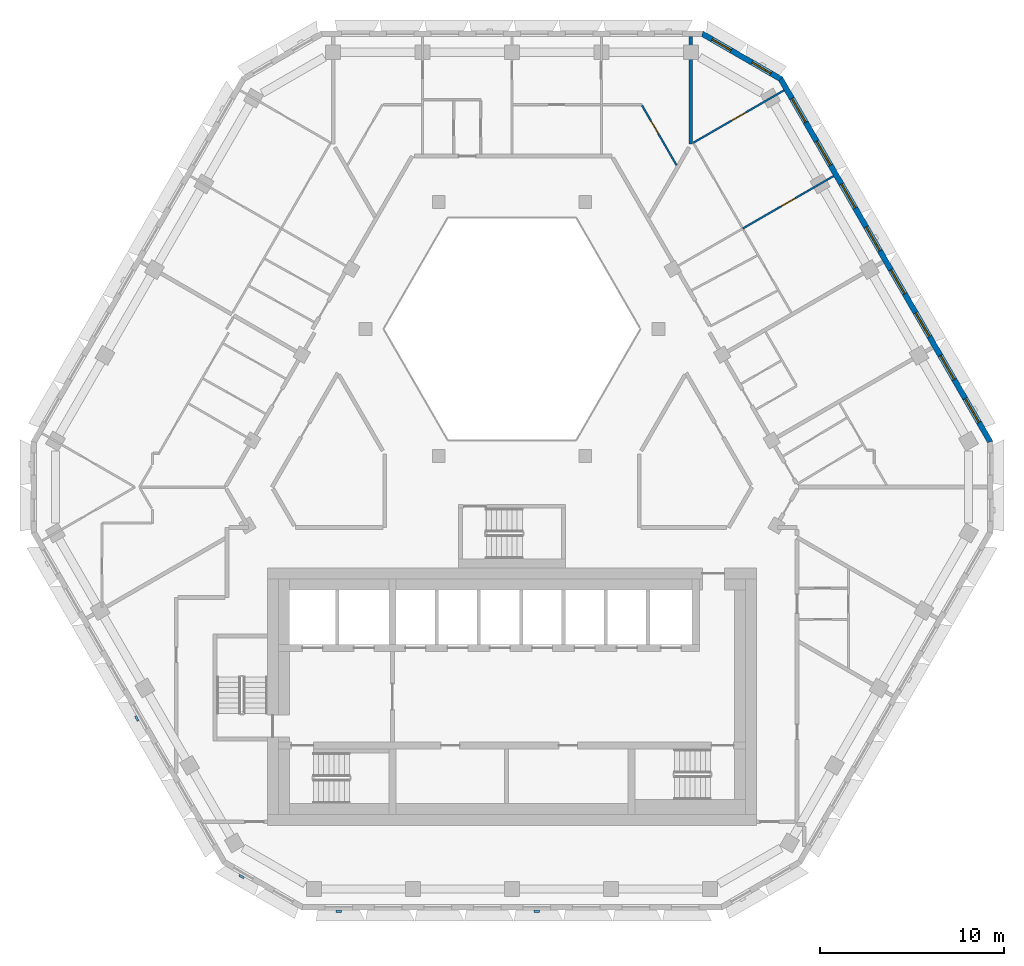
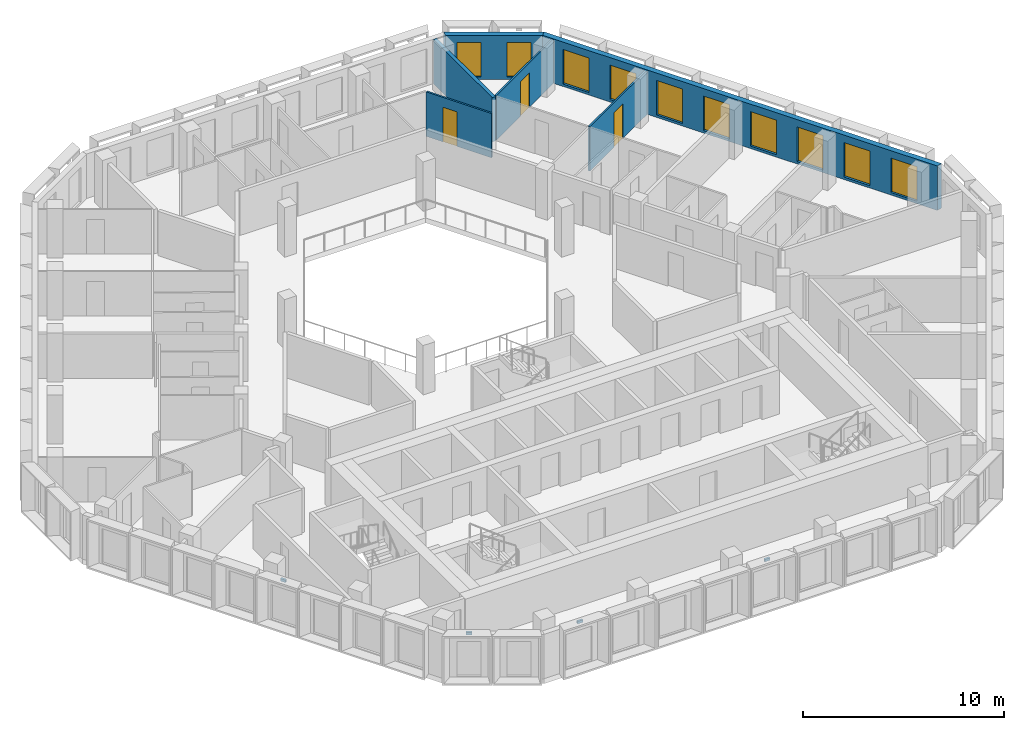
# One storey, part 9 of 18: 10 windows, 6 walls, 4 discrete accessories, 3 doors, 13 openings.
"""IFC4 building model written with IfcOpenShell, lengths in metres."""

import ifcopenshell
import ifcopenshell.guid

model = None  # the IFC model being written
_history = None  # IfcOwnerHistory: only IFC2X3 demands one
_inside = {}  # id of a spatial element -> (the spatial element, [elements in it])
_under = {}  # id of a project, library or spatial element -> (it, [spatial elements below it])
_declared = {}  # id of a project -> (the project, [libraries it declares])
_typed = {}  # id of a type object -> (the type object, [elements of that type])
_made_of = {}  # id of a material, layer set ... -> (it, [elements and type objects made of it])


def new_model(schema):
    """Start an empty IFC model of exactly this schema.

    Asked for "IFC4X3", IfcOpenShell would pick the latest addendum, in which some entities
    have other attributes; the version numbers below select the first issue.
    IFC2X3 requires an IfcOwnerHistory on every rooted entity: one is made here for all.
    """
    global model, _history
    if schema == "IFC4X3":
        model = ifcopenshell.file(schema_version=(4, 3, 0, 0))
    else:
        model = ifcopenshell.file(schema=schema)
    _inside.clear()
    _under.clear()
    _declared.clear()
    _typed.clear()
    _made_of.clear()
    _history = None
    if model.schema == "IFC2X3":
        org = make("IfcOrganization", Name="unknown")
        user = make(
            "IfcPersonAndOrganization",
            ThePerson=make("IfcPerson", FamilyName="unknown"),
            TheOrganization=org,
        )
        app = make(
            "IfcApplication",
            ApplicationDeveloper=org,
            Version="unknown",
            ApplicationFullName="unknown",
            ApplicationIdentifier="unknown",
        )
        _history = make(
            "IfcOwnerHistory",
            OwningUser=user,
            OwningApplication=app,
            ChangeAction="ADDED",
            CreationDate=0,
        )
    return model


def make(cls, **values):
    """One entity of the class cls with the attributes given. An attribute that is None is left unset."""
    return model.create_entity(
        cls, **{name: value for name, value in values.items() if value is not None}
    )


def rooted(cls, **values):
    """An entity with a GlobalId (a new one), such as an element, a storey or a relation."""
    return make(cls, GlobalId=ifcopenshell.guid.new(), OwnerHistory=_history, **values)


def si_unit(unit_type, name, prefix=None):
    """IfcSIUnit, for example si_unit("LENGTHUNIT", "METRE", prefix="MILLI")."""
    return make("IfcSIUnit", UnitType=unit_type, Prefix=prefix, Name=name)


def assignment(units):
    """IfcUnitAssignment: the units of a project."""
    return None if units is None else make("IfcUnitAssignment", Units=units)


def point(xyz):
    """IfcCartesianPoint."""
    return None if xyz is None else make("IfcCartesianPoint", Coordinates=xyz)


def direction(xyz):
    """IfcDirection."""
    return None if xyz is None else make("IfcDirection", DirectionRatios=xyz)


def frame(location, z_axis=None, x_axis=None):
    """IfcAxis2Placement3D, a coordinate frame: its origin and axes. An axis left out is left unset."""
    return make(
        "IfcAxis2Placement3D",
        Location=point(location),
        Axis=direction(z_axis),
        RefDirection=direction(x_axis),
    )


def frame_2d(location, x_axis=None):
    """IfcAxis2Placement2D, a coordinate frame in the plane: its origin and x axis."""
    return make(
        "IfcAxis2Placement2D", Location=point(location), RefDirection=direction(x_axis)
    )


def origin():
    """The frame at (0, 0, 0) with its axes left unset."""
    return frame((0.0, 0.0, 0.0))


def place(relative_to, where):
    """IfcLocalPlacement: puts the frame where relative to a parent placement (None: the world)."""
    return make(
        "IfcLocalPlacement", PlacementRelTo=relative_to, RelativePlacement=where
    )


def context(
    kind, dimensions, precision=None, world=None, true_north=None, identifier=None
):
    """IfcGeometricRepresentationContext, for example the 3D "Model" context."""
    return make(
        "IfcGeometricRepresentationContext",
        ContextIdentifier=identifier,
        ContextType=kind,
        CoordinateSpaceDimension=dimensions,
        Precision=precision,
        WorldCoordinateSystem=world,
        TrueNorth=true_north,
    )


def subcontext(parent, identifier, kind, view, scale=None):
    """IfcGeometricRepresentationSubContext, for example "Body" below "Model"."""
    return make(
        "IfcGeometricRepresentationSubContext",
        ContextIdentifier=identifier,
        ContextType=kind,
        ParentContext=parent,
        TargetScale=scale,
        TargetView=view,
    )


def project(units=None, contexts=None):
    """IfcProject with its units and contexts."""
    return rooted(
        "IfcProject",
        Name="project",
        RepresentationContexts=contexts,
        UnitsInContext=assignment(units),
    )


def spatial(cls, under=None, at=None, **own):
    """A site, building, storey or space (cls), placed at a placement, below another one or the project."""
    s = rooted(cls, ObjectPlacement=at, **own)
    if under is not None:
        _under.setdefault(under.id(), (under, []))[1].append(s)
    return s


def polyline(points):
    """IfcPolyline through the points."""
    return make("IfcPolyline", Points=[point(p) for p in points])


def profile(cls, at=None, kind="AREA", **sizes):
    """A parametric profile (cls). Its sizes go by their IFC names, for example OverallWidth=200.0."""
    return make(cls, ProfileType=kind, Position=at, **sizes)


def rectangle(**sizes):
    """IfcRectangleProfileDef."""
    return profile("IfcRectangleProfileDef", **sizes)


def outline(outer, holes=None, kind="AREA"):
    """IfcArbitraryClosedProfileDef: a profile drawn as a closed curve; with holes, ...WithVoids."""
    if holes is None:
        return make("IfcArbitraryClosedProfileDef", ProfileType=kind, OuterCurve=outer)
    return make(
        "IfcArbitraryProfileDefWithVoids",
        ProfileType=kind,
        OuterCurve=outer,
        InnerCurves=holes,
    )


def extrude(swept, where, along, depth):
    """IfcExtrudedAreaSolid: the profile swept, set in the frame where, extruded along a direction by depth."""
    return make(
        "IfcExtrudedAreaSolid",
        SweptArea=swept,
        Position=where,
        ExtrudedDirection=direction(along),
        Depth=depth,
    )


def shape(context_of_items, identifier, shape_type, items):
    """IfcShapeRepresentation: the items that make up one representation, for example the "Body"."""
    return make(
        "IfcShapeRepresentation",
        ContextOfItems=context_of_items,
        RepresentationIdentifier=identifier,
        RepresentationType=shape_type,
        Items=items,
    )


def source(mapping_origin, context_of_items, identifier, shape_type, items):
    """IfcRepresentationMap: a shape defined once, which mapped items show again and again."""
    return make(
        "IfcRepresentationMap",
        MappingOrigin=mapping_origin,
        MappedRepresentation=shape(context_of_items, identifier, shape_type, items),
    )


def transform(
    local_origin,
    x_axis=None,
    y_axis=None,
    z_axis=None,
    scale=None,
    scale2=None,
    scale3=None,
    uniform=True,
):
    """IfcCartesianTransformationOperator3D, or its non-uniform kind. x_axis, y_axis, z_axis: its Axis1, 2, 3."""
    if uniform:
        return make(
            "IfcCartesianTransformationOperator3D",
            Axis1=direction(x_axis),
            Axis2=direction(y_axis),
            LocalOrigin=point(local_origin),
            Scale=scale,
            Axis3=direction(z_axis),
        )
    return make(
        "IfcCartesianTransformationOperator3DnonUniform",
        Axis1=direction(x_axis),
        Axis2=direction(y_axis),
        LocalOrigin=point(local_origin),
        Scale=scale,
        Axis3=direction(z_axis),
        Scale2=scale2,
        Scale3=scale3,
    )


def mapped(mapping_source, mapping_target):
    """IfcMappedItem: shows the shape of a source again, moved by a transform."""
    return make(
        "IfcMappedItem", MappingSource=mapping_source, MappingTarget=mapping_target
    )


def material(Name=None, Category=None):
    """IfcMaterial."""
    return make("IfcMaterial", Name=Name, Category=Category)


def layer(
    of_material, thickness, ventilated=None, Name=None, Category=None, Priority=None
):
    """IfcMaterialLayer: one layer of a wall or slab, of a material (None: an air gap)."""
    return make(
        "IfcMaterialLayer",
        Material=of_material,
        LayerThickness=thickness,
        IsVentilated=ventilated,
        Name=Name,
        Category=Category,
        Priority=Priority,
    )


def layer_set(layers, Name=None):
    """IfcMaterialLayerSet."""
    return make("IfcMaterialLayerSet", MaterialLayers=layers, LayerSetName=Name)


def made_of(thing, what):
    """Note that an element or type object is made of a material, layer set ...; save() writes the relation."""
    if what is not None:
        _made_of.setdefault(what.id(), (what, []))[1].append(thing)
    return thing


def type_object(cls, material=None, **own):
    """A type object (cls), such as IfcWallType, which elements share."""
    return made_of(rooted(cls, **own), material)


def type_shapes(of_type, sources):
    """Give a type object the sources (RepresentationMaps) that its elements show as mapped items."""
    of_type.RepresentationMaps = sources


def element(
    cls,
    number,
    at=None,
    inside=None,
    cuts=None,
    type_object=None,
    material=None,
    context=None,
    identifier="Body",
    shape_type=None,
    held_by="IfcProductDefinitionShape",
    body=None,
    shapes=None,
    **own,
):
    """One element of the class cls, such as IfcWall. Its Tag is "e" and its number.

    at: its placement. inside: the storey or other place that contains it. cuts: it is an
    opening in that element (IfcRelVoidsElement). A single representation is given by context,
    identifier, shape_type and body (its items); several are given by shapes. held_by: the class
    of the entity that holds the representations. save() writes the other relations.
    """
    e = rooted(cls, Tag="e%d" % number, ObjectPlacement=at, **own)
    if body is not None:
        shapes = [shape(context, identifier, shape_type, body)]
    if shapes is not None:
        e.Representation = make(held_by, Representations=shapes)
    if inside is not None:
        _inside.setdefault(inside.id(), (inside, []))[1].append(e)
    if cuts is not None:
        rooted(
            "IfcRelVoidsElement", RelatingBuildingElement=cuts, RelatedOpeningElement=e
        )
    if type_object is not None:
        _typed.setdefault(type_object.id(), (type_object, []))[1].append(e)
    return made_of(e, material)


def fill(opening, filler):
    """IfcRelFillsElement: the door or window that sits in an opening."""
    return rooted(
        "IfcRelFillsElement",
        RelatingOpeningElement=opening,
        RelatedBuildingElement=filler,
    )


def aggregate(whole, parts):
    """IfcRelAggregates: a whole, such as a stair, and the parts it consists of."""
    return rooted("IfcRelAggregates", RelatingObject=whole, RelatedObjects=parts)


def save(model, path):
    """Write the relations noted so far, then the file.

    IfcRelAggregates (storeys below a building ...), IfcRelContainedInSpatialStructure (elements
    in a storey), IfcRelDefinesByType, IfcRelAssociatesMaterial and IfcRelDeclares: one each for
    every whole, place, type object, material and project.
    """
    for whole, parts in _under.values():
        aggregate(whole, parts)
    for where, things in _inside.values():
        rooted(
            "IfcRelContainedInSpatialStructure",
            RelatedElements=things,
            RelatingStructure=where,
        )
    for kind, things in _typed.values():
        rooted("IfcRelDefinesByType", RelatedObjects=things, RelatingType=kind)
    for what, things in _made_of.values():
        rooted("IfcRelAssociatesMaterial", RelatedObjects=things, RelatingMaterial=what)
    for by, libraries in _declared.values():
        rooted("IfcRelDeclares", RelatingContext=by, RelatedDefinitions=libraries)
    model.write(path)


model = new_model("IFC4")

# Units and contexts
model_context = context("Model", 3, precision=1e-05, world=origin(), true_north=direction((0.0, 1.0)))
body_context = subcontext(model_context, "Body", "Model", "MODEL_VIEW")
ifc_project = project(units=[si_unit("LENGTHUNIT", "METRE"), si_unit("AREAUNIT", "SQUARE_METRE"), si_unit("VOLUMEUNIT", "CUBIC_METRE"), si_unit("PLANEANGLEUNIT", "RADIAN"), si_unit("MASSUNIT", "GRAM", prefix="KILO")], contexts=[model_context])

# Site, building, storey
site_placement = place(None, origin())
site = spatial("IfcSite", under=ifc_project, at=site_placement, CompositionType="ELEMENT")
building_placement = place(site_placement, origin())
building = spatial("IfcBuilding", under=site, at=building_placement, Name="Beryl Residences", CompositionType="ELEMENT")
storey_placement = place(building_placement, frame((0.0, 0.0, 184.199951171875)))
storey = spatial("IfcBuildingStorey", under=building, at=storey_placement, Name="L56", CompositionType="ELEMENT", Elevation=184.199951171875)

# Wall, openings, windows
ifc_material_1 = material(Name="Composite metal panel with mineral wool insulation")
ifc_layer_1 = layer(ifc_material_1, 0.300048828125)
ifc_layer_set_1 = layer_set([ifc_layer_1], Name="ES1 pale metal composite panel wall 300 mm")
wall_type_1 = type_object("IfcWallType", Name="ES1 pale metal composite panel wall 300 mm", PredefinedType="SOLIDWALL", material=ifc_layer_set_1)
wall_1_placement = place(storey_placement, frame((26.02392578125, 1.824951171875, 0.0), z_axis=(0.0, 0.0, 1.0), x_axis=(-0.500010537973, 0.866019319597, 0.0)))
wall_1 = element("IfcWall", 1, at=wall_1_placement, inside=storey, type_object=wall_type_1, Name="ES1 external wall L56 NE", PredefinedType="SOLIDWALL", context=body_context, shape_type="SweptSolid", body=[
    extrude(outline(polyline([(0.0, -0.14990234375), (22.86328125, -0.14990234375), (22.782958984375, 0.14990234375), (0.080322265625, 0.14990234375), (0.0, -0.14990234375)])), origin(), (0.0, 0.0, 1.0), 2.699951171875),
])
opening_1_placement = place(wall_1_placement, frame((1.259033203125, 0.0, 0.14990234375)))
opening_1 = element("IfcOpeningElement", 2, at=opening_1_placement, cuts=wall_1, Name="Opening W1", PredefinedType="OPENING", context=body_context, shape_type="SweptSolid", body=[
    extrude(rectangle(XDim=1.5, YDim=2.10009765625, at=frame_2d((0.75, 1.050048828125))), frame((0.0, 0.159912109375, 0.0), z_axis=(0.0, -1.0, 0.0), x_axis=(1.0, 0.0, 0.0)), (0.0, 0.0, 1.0), 0.320068359375),
])
opening_2_placement = place(wall_1_placement, frame((3.951904296875, 0.0, 0.14990234375)))
opening_2 = element("IfcOpeningElement", 3, at=opening_2_placement, cuts=wall_1, Name="Opening W1", PredefinedType="OPENING", context=body_context, shape_type="SweptSolid", body=[
    extrude(rectangle(XDim=1.5, YDim=2.10009765625, at=frame_2d((0.75, 1.050048828125))), frame((0.0, 0.159912109375, 0.0), z_axis=(0.0, -1.0, 0.0), x_axis=(1.0, 0.0, 0.0)), (0.0, 0.0, 1.0), 0.320068359375),
])
opening_3_placement = place(wall_1_placement, frame((6.64404296875, 0.0, 0.14990234375)))
opening_3 = element("IfcOpeningElement", 4, at=opening_3_placement, cuts=wall_1, Name="Opening W1", PredefinedType="OPENING", context=body_context, shape_type="SweptSolid", body=[
    extrude(rectangle(XDim=1.5, YDim=2.10009765625, at=frame_2d((0.75, 1.050048828125))), frame((0.0, 0.159912109375, 0.0), z_axis=(0.0, -1.0, 0.0), x_axis=(1.0, 0.0, 0.0)), (0.0, 0.0, 1.0), 0.320068359375),
])
opening_4_placement = place(wall_1_placement, frame((9.3349609375, 0.0, 0.14990234375)))
opening_4 = element("IfcOpeningElement", 5, at=opening_4_placement, cuts=wall_1, Name="Opening W1", PredefinedType="OPENING", context=body_context, shape_type="SweptSolid", body=[
    extrude(rectangle(XDim=1.5, YDim=2.10009765625, at=frame_2d((0.75, 1.050048828125))), frame((0.0, 0.159912109375, 0.0), z_axis=(0.0, -1.0, 0.0), x_axis=(1.0, 0.0, 0.0)), (0.0, 0.0, 1.0), 0.320068359375),
])
opening_5_placement = place(wall_1_placement, frame((12.028076171875, 0.0, 0.14990234375)))
opening_5 = element("IfcOpeningElement", 6, at=opening_5_placement, cuts=wall_1, Name="Opening W1", PredefinedType="OPENING", context=body_context, shape_type="SweptSolid", body=[
    extrude(rectangle(XDim=1.5, YDim=2.10009765625, at=frame_2d((0.75, 1.050048828125))), frame((0.0, 0.159912109375, 0.0), z_axis=(0.0, -1.0, 0.0), x_axis=(1.0, 0.0, 0.0)), (0.0, 0.0, 1.0), 0.320068359375),
])
opening_6_placement = place(wall_1_placement, frame((14.719970703125, 0.0, 0.14990234375)))
opening_6 = element("IfcOpeningElement", 7, at=opening_6_placement, cuts=wall_1, Name="Opening W1", PredefinedType="OPENING", context=body_context, shape_type="SweptSolid", body=[
    extrude(rectangle(XDim=1.5, YDim=2.10009765625, at=frame_2d((0.75, 1.050048828125))), frame((0.0, 0.159912109375, 0.0), z_axis=(0.0, -1.0, 0.0), x_axis=(1.0, 0.0, 0.0)), (0.0, 0.0, 1.0), 0.320068359375),
])
opening_7_placement = place(wall_1_placement, frame((17.410888671875, 0.0, 0.14990234375)))
opening_7 = element("IfcOpeningElement", 8, at=opening_7_placement, cuts=wall_1, Name="Opening W1", PredefinedType="OPENING", context=body_context, shape_type="SweptSolid", body=[
    extrude(rectangle(XDim=1.5, YDim=2.10009765625, at=frame_2d((0.75, 1.050048828125))), frame((0.0, 0.159912109375, 0.0), z_axis=(0.0, -1.0, 0.0), x_axis=(1.0, 0.0, 0.0)), (0.0, 0.0, 1.0), 0.320068359375),
])
opening_8_placement = place(wall_1_placement, frame((20.10400390625, 0.0, 0.14990234375)))
opening_8 = element("IfcOpeningElement", 9, at=opening_8_placement, cuts=wall_1, Name="Opening W1", PredefinedType="OPENING", context=body_context, shape_type="SweptSolid", body=[
    extrude(rectangle(XDim=1.5, YDim=2.10009765625, at=frame_2d((0.75, 1.050048828125))), frame((0.0, 0.159912109375, 0.0), z_axis=(0.0, -1.0, 0.0), x_axis=(1.0, 0.0, 0.0)), (0.0, 0.0, 1.0), 0.320068359375),
])
ifc_material_2 = material(Name="Aluminium and clear glass", Category="aluminium")
window_type_1 = type_object("IfcWindowType", Name="W1 cell window 1500 x 2100 mm", PartitioningType="SINGLE_PANEL", PredefinedType="WINDOW", material=ifc_material_2)
window_1_placement = place(opening_1_placement, origin())
window_1 = element("IfcWindow", 10, at=window_1_placement, inside=storey, type_object=window_type_1, Name="W1 window L56 NE 1", OverallHeight=2.10009765625, OverallWidth=1.5, PartitioningType="SINGLE_PANEL", PredefinedType="WINDOW", context=body_context, shape_type="SweptSolid", body=[
    extrude(rectangle(XDim=1.5, YDim=2.10009765625, at=frame_2d((0.75, 1.050048828125))), frame((0.0, 0.030029296875, 0.0), z_axis=(0.0, -1.0, 0.0), x_axis=(1.0, 0.0, 0.0)), (0.0, 0.0, 1.0), 0.06005859375),
])
fill(opening_1, window_1)
window_2_placement = place(opening_2_placement, origin())
window_2 = element("IfcWindow", 11, at=window_2_placement, inside=storey, type_object=window_type_1, Name="W1 window L56 NE 2", OverallHeight=2.10009765625, OverallWidth=1.5, PartitioningType="SINGLE_PANEL", PredefinedType="WINDOW", context=body_context, shape_type="SweptSolid", body=[
    extrude(rectangle(XDim=1.5, YDim=2.10009765625, at=frame_2d((0.75, 1.050048828125))), frame((0.0, 0.030029296875, 0.0), z_axis=(0.0, -1.0, 0.0), x_axis=(1.0, 0.0, 0.0)), (0.0, 0.0, 1.0), 0.06005859375),
])
fill(opening_2, window_2)
window_3_placement = place(opening_3_placement, origin())
window_3 = element("IfcWindow", 12, at=window_3_placement, inside=storey, type_object=window_type_1, Name="W1 window L56 NE 3", OverallHeight=2.10009765625, OverallWidth=1.5, PartitioningType="SINGLE_PANEL", PredefinedType="WINDOW", context=body_context, shape_type="SweptSolid", body=[
    extrude(rectangle(XDim=1.5, YDim=2.10009765625, at=frame_2d((0.75, 1.050048828125))), frame((0.0, 0.030029296875, 0.0), z_axis=(0.0, -1.0, 0.0), x_axis=(1.0, 0.0, 0.0)), (0.0, 0.0, 1.0), 0.06005859375),
])
fill(opening_3, window_3)
window_4_placement = place(opening_4_placement, origin())
window_4 = element("IfcWindow", 13, at=window_4_placement, inside=storey, type_object=window_type_1, Name="W1 window L56 NE 4", OverallHeight=2.10009765625, OverallWidth=1.5, PartitioningType="SINGLE_PANEL", PredefinedType="WINDOW", context=body_context, shape_type="SweptSolid", body=[
    extrude(rectangle(XDim=1.5, YDim=2.10009765625, at=frame_2d((0.75, 1.050048828125))), frame((0.0, 0.030029296875, 0.0), z_axis=(0.0, -1.0, 0.0), x_axis=(1.0, 0.0, 0.0)), (0.0, 0.0, 1.0), 0.06005859375),
])
fill(opening_4, window_4)
window_5_placement = place(opening_5_placement, origin())
window_5 = element("IfcWindow", 14, at=window_5_placement, inside=storey, type_object=window_type_1, Name="W1 window L56 NE 5", OverallHeight=2.10009765625, OverallWidth=1.5, PartitioningType="SINGLE_PANEL", PredefinedType="WINDOW", context=body_context, shape_type="SweptSolid", body=[
    extrude(rectangle(XDim=1.5, YDim=2.10009765625, at=frame_2d((0.75, 1.050048828125))), frame((0.0, 0.030029296875, 0.0), z_axis=(0.0, -1.0, 0.0), x_axis=(1.0, 0.0, 0.0)), (0.0, 0.0, 1.0), 0.06005859375),
])
fill(opening_5, window_5)
window_6_placement = place(opening_6_placement, origin())
window_6 = element("IfcWindow", 15, at=window_6_placement, inside=storey, type_object=window_type_1, Name="W1 window L56 NE 6", OverallHeight=2.10009765625, OverallWidth=1.5, PartitioningType="SINGLE_PANEL", PredefinedType="WINDOW", context=body_context, shape_type="SweptSolid", body=[
    extrude(rectangle(XDim=1.5, YDim=2.10009765625, at=frame_2d((0.75, 1.050048828125))), frame((0.0, 0.030029296875, 0.0), z_axis=(0.0, -1.0, 0.0), x_axis=(1.0, 0.0, 0.0)), (0.0, 0.0, 1.0), 0.06005859375),
])
fill(opening_6, window_6)
window_7_placement = place(opening_7_placement, origin())
window_7 = element("IfcWindow", 16, at=window_7_placement, inside=storey, type_object=window_type_1, Name="W1 window L56 NE 7", OverallHeight=2.10009765625, OverallWidth=1.5, PartitioningType="SINGLE_PANEL", PredefinedType="WINDOW", context=body_context, shape_type="SweptSolid", body=[
    extrude(rectangle(XDim=1.5, YDim=2.10009765625, at=frame_2d((0.75, 1.050048828125))), frame((0.0, 0.030029296875, 0.0), z_axis=(0.0, -1.0, 0.0), x_axis=(1.0, 0.0, 0.0)), (0.0, 0.0, 1.0), 0.06005859375),
])
fill(opening_7, window_7)
window_8_placement = place(opening_8_placement, origin())
window_8 = element("IfcWindow", 17, at=window_8_placement, inside=storey, type_object=window_type_1, Name="W1 window L56 NE 8", OverallHeight=2.10009765625, OverallWidth=1.5, PartitioningType="SINGLE_PANEL", PredefinedType="WINDOW", context=body_context, shape_type="SweptSolid", body=[
    extrude(rectangle(XDim=1.5, YDim=2.10009765625, at=frame_2d((0.75, 1.050048828125))), frame((0.0, 0.030029296875, 0.0), z_axis=(0.0, -1.0, 0.0), x_axis=(1.0, 0.0, 0.0)), (0.0, 0.0, 1.0), 0.06005859375),
])
fill(opening_8, window_8)

wall_2_placement = place(storey_placement, frame((14.64697265625, 21.570068359375, 0.0), z_axis=(0.0, 0.0, 1.0), x_axis=(-0.866022959057, 0.500004234368, 0.0)))
wall_2 = element("IfcWall", 18, at=wall_2_placement, inside=storey, type_object=wall_type_1, Name="ES1 external wall L56 NE-N", PredefinedType="SOLIDWALL", context=body_context, shape_type="SweptSolid", body=[
    extrude(outline(polyline([(0.0, -0.14990234375), (5.0, -0.14990234375), (4.919677734375, 0.14990234375), (0.080322265625, 0.14990234375), (0.0, -0.14990234375)])), origin(), (0.0, 0.0, 1.0), 2.699951171875),
])
opening_9_placement = place(wall_2_placement, frame((0.64990234375, 0.0, 0.14990234375)))
opening_9 = element("IfcOpeningElement", 19, at=opening_9_placement, cuts=wall_2, Name="Opening W2", PredefinedType="OPENING", context=body_context, shape_type="SweptSolid", body=[
    extrude(rectangle(XDim=1.199951171875, YDim=2.10009765625, at=frame_2d((0.60009765625, 1.050048828125))), frame((0.0, 0.159912109375, 0.0), z_axis=(0.0, -1.0, 0.0), x_axis=(1.0, 0.0, 0.0)), (0.0, 0.0, 1.0), 0.320068359375),
])
opening_10_placement = place(wall_2_placement, frame((3.14990234375, 0.0, 0.14990234375)))
opening_10 = element("IfcOpeningElement", 20, at=opening_10_placement, cuts=wall_2, Name="Opening W2", PredefinedType="OPENING", context=body_context, shape_type="SweptSolid", body=[
    extrude(rectangle(XDim=1.199951171875, YDim=2.10009765625, at=frame_2d((0.60009765625, 1.050048828125))), frame((0.0, 0.159912109375, 0.0), z_axis=(0.0, -1.0, 0.0), x_axis=(1.0, 0.0, 0.0)), (0.0, 0.0, 1.0), 0.320068359375),
])
ifc_material_3 = material(Name="Aluminium and clear glass", Category="aluminium")
window_type_2 = type_object("IfcWindowType", Name="W2 chamfer window 1200 x 2100 mm", PartitioningType="SINGLE_PANEL", PredefinedType="WINDOW", material=ifc_material_3)
window_9_placement = place(opening_9_placement, origin())
window_9 = element("IfcWindow", 21, at=window_9_placement, inside=storey, type_object=window_type_2, Name="W2 window L56 NE-N 1", OverallHeight=2.10009765625, OverallWidth=1.199951171875, PartitioningType="SINGLE_PANEL", PredefinedType="WINDOW", context=body_context, shape_type="SweptSolid", body=[
    extrude(rectangle(XDim=1.199951171875, YDim=2.10009765625, at=frame_2d((0.60009765625, 1.050048828125))), frame((0.0, 0.030029296875, 0.0), z_axis=(0.0, -1.0, 0.0), x_axis=(1.0, 0.0, 0.0)), (0.0, 0.0, 1.0), 0.06005859375),
])
fill(opening_9, window_9)
window_10_placement = place(opening_10_placement, origin())
window_10 = element("IfcWindow", 22, at=window_10_placement, inside=storey, type_object=window_type_2, Name="W2 window L56 NE-N 2", OverallHeight=2.10009765625, OverallWidth=1.199951171875, PartitioningType="SINGLE_PANEL", PredefinedType="WINDOW", context=body_context, shape_type="SweptSolid", body=[
    extrude(rectangle(XDim=1.199951171875, YDim=2.10009765625, at=frame_2d((0.60009765625, 1.050048828125))), frame((0.0, 0.030029296875, 0.0), z_axis=(0.0, -1.0, 0.0), x_axis=(1.0, 0.0, 0.0)), (0.0, 0.0, 1.0), 0.06005859375),
])
fill(opening_10, window_10)

# Wall, opening, door
ifc_material_4 = material(Name="Gypsum board partition on steel studs", Category="steel")
ifc_layer_2 = layer(ifc_material_4, 0.10009765625)
ifc_layer_set_2 = layer_set([ifc_layer_2], Name="PT1 partition 100 mm gypsum board on steel studs")
wall_type_2 = type_object("IfcWallType", Name="PT1 partition 100 mm gypsum board on steel studs", PredefinedType="PARTITIONING", material=ifc_layer_set_2)
wall_3_placement = place(storey_placement, frame((7.072998046875, 20.14990234375, 0.0), z_axis=(0.0, 0.0, 1.0), x_axis=(0.499917691695, -0.866072919292, 0.0)))
wall_3 = element("IfcWall", 23, at=wall_3_placement, inside=storey, type_object=wall_type_2, Name="Wall PT1 L56 003", PredefinedType="PARTITIONING", context=body_context, shape_type="SweptSolid", body=[
    extrude(rectangle(XDim=3.752685546875, YDim=0.10009765625, at=frame_2d((1.87646484375, 0.0))), origin(), (0.0, 0.0, 1.0), 2.699951171875),
])
opening_11_placement = place(wall_3_placement, frame((0.9599609375, 0.0, 0.0)))
opening_11 = element("IfcOpeningElement", 24, at=opening_11_placement, cuts=wall_3, Name="Opening D1514", PredefinedType="OPENING", context=body_context, shape_type="SweptSolid", body=[
    extrude(rectangle(XDim=0.800048828125, YDim=2.10009765625, at=frame_2d((0.39990234375, 1.050048828125))), frame((0.0, 0.06005859375, 0.0), z_axis=(0.0, -1.0, 0.0), x_axis=(1.0, 0.0, 0.0)), (0.0, 0.0, 1.0), 0.1201171875),
])
ifc_material_5 = material(Name="Timber door leaf", Category="wood")
door_type_1 = type_object("IfcDoorType", Name="D3 bathroom door 800 x 2100 mm", OperationType="SINGLE_SWING_LEFT", PredefinedType="DOOR", material=ifc_material_5)
door_1_placement = place(opening_11_placement, origin())
door_1 = element("IfcDoor", 25, at=door_1_placement, inside=storey, type_object=door_type_1, Name="Door D1514 L56 001", OperationType="SINGLE_SWING_RIGHT", OverallHeight=2.10009765625, OverallWidth=0.800048828125, PredefinedType="DOOR", context=body_context, shape_type="SweptSolid", body=[
    extrude(rectangle(XDim=0.800048828125, YDim=2.10009765625, at=frame_2d((0.39990234375, 1.050048828125))), frame((0.0, 0.02490234375, 0.0), z_axis=(0.0, -1.0, 0.0), x_axis=(1.0, 0.0, 0.0)), (0.0, 0.0, 1.0), 0.050048828125),
])
fill(opening_11, door_1)

wall_4_placement = place(storey_placement, frame((9.85791015625, 18.125, 0.0), z_axis=(0.0, 0.0, 1.0), x_axis=(0.866004402611, 0.500036373335, 0.0)))
wall_4 = element("IfcWall", 26, at=wall_4_placement, inside=storey, type_object=wall_type_2, Name="Wall PT1 L56 046", PredefinedType="PARTITIONING", context=body_context, shape_type="SweptSolid", body=[
    extrude(rectangle(XDim=5.69970703125, YDim=0.10009765625, at=frame_2d((2.849853515625, 0.0))), origin(), (0.0, 0.0, 1.0), 2.699951171875),
])
opening_12_placement = place(wall_4_placement, frame((2.39990234375, 0.0, 0.0)))
opening_12 = element("IfcOpeningElement", 27, at=opening_12_placement, cuts=wall_4, Name="Opening D1506", PredefinedType="OPENING", context=body_context, shape_type="SweptSolid", body=[
    extrude(rectangle(XDim=0.89990234375, YDim=2.10009765625, at=frame_2d((0.449951171875, 1.050048828125))), frame((0.0, 0.06005859375, 0.0), z_axis=(0.0, -1.0, 0.0), x_axis=(1.0, 0.0, 0.0)), (0.0, 0.0, 1.0), 0.1201171875),
])
ifc_material_6 = material(Name="Timber door leaf", Category="wood")
door_type_2 = type_object("IfcDoorType", Name="D2 room door 900 x 2100 mm", OperationType="SINGLE_SWING_LEFT", PredefinedType="DOOR", material=ifc_material_6)
door_2_placement = place(opening_12_placement, origin())
door_2 = element("IfcDoor", 28, at=door_2_placement, inside=storey, type_object=door_type_2, Name="Door D1506 L56 001", OperationType="SINGLE_SWING_RIGHT", OverallHeight=2.10009765625, OverallWidth=0.89990234375, PredefinedType="DOOR", context=body_context, shape_type="SweptSolid", body=[
    extrude(rectangle(XDim=0.89990234375, YDim=2.10009765625, at=frame_2d((0.449951171875, 1.050048828125))), frame((0.0, 0.02490234375, 0.0), z_axis=(0.0, -1.0, 0.0), x_axis=(1.0, 0.0, 0.0)), (0.0, 0.0, 1.0), 0.050048828125),
])
fill(opening_12, door_2)

wall_5_placement = place(storey_placement, frame((12.550048828125, 13.462890625, 0.0), z_axis=(0.0, 0.0, 1.0), x_axis=(0.866004402611, 0.500036373335, 0.0)))
wall_5 = element("IfcWall", 29, at=wall_5_placement, inside=storey, type_object=wall_type_2, Name="Wall PT1 L56 049", PredefinedType="PARTITIONING", context=body_context, shape_type="SweptSolid", body=[
    extrude(rectangle(XDim=5.69970703125, YDim=0.10009765625, at=frame_2d((2.849853515625, 0.0))), origin(), (0.0, 0.0, 1.0), 2.699951171875),
])
opening_13_placement = place(wall_5_placement, frame((2.39990234375, 0.0, 0.0)))
opening_13 = element("IfcOpeningElement", 30, at=opening_13_placement, cuts=wall_5, Name="Opening D1505", PredefinedType="OPENING", context=body_context, shape_type="SweptSolid", body=[
    extrude(rectangle(XDim=0.89990234375, YDim=2.10009765625, at=frame_2d((0.449951171875, 1.050048828125))), frame((0.0, 0.06005859375, 0.0), z_axis=(0.0, -1.0, 0.0), x_axis=(1.0, 0.0, 0.0)), (0.0, 0.0, 1.0), 0.1201171875),
])
door_3_placement = place(opening_13_placement, origin())
door_3 = element("IfcDoor", 31, at=door_3_placement, inside=storey, type_object=door_type_2, Name="Door D1505 L56 001", OperationType="SINGLE_SWING_LEFT", OverallHeight=2.10009765625, OverallWidth=0.89990234375, PredefinedType="DOOR", context=body_context, shape_type="SweptSolid", body=[
    extrude(rectangle(XDim=0.89990234375, YDim=2.10009765625, at=frame_2d((0.449951171875, 1.050048828125))), frame((0.0, 0.02490234375, 0.0), z_axis=(0.0, -1.0, 0.0), x_axis=(1.0, 0.0, 0.0)), (0.0, 0.0, 1.0), 0.050048828125),
])
fill(opening_13, door_3)

# Wall
ifc_material_7 = material(Name="Acoustic double stud gypsum board wall")
ifc_layer_3 = layer(ifc_material_7, 0.199951171875)
ifc_layer_set_3 = layer_set([ifc_layer_3], Name="PT3 party wall 200 mm acoustic double stud")
wall_type_3 = type_object("IfcWallType", Name="PT3 party wall 200 mm acoustic double stud", PredefinedType="PARTITIONING", material=ifc_layer_set_3)
wall_6_placement = place(storey_placement, frame((9.72802734375, 18.049072265625, 0.0), z_axis=(0.0, 0.0, 1.0), x_axis=(0.0, 1.0, 0.0)))
element("IfcWall", 32, at=wall_6_placement, inside=storey, type_object=wall_type_3, Name="Wall PT3 L56 009", PredefinedType="PARTITIONING", context=body_context, shape_type="SweptSolid", body=[
    extrude(rectangle(XDim=5.850830078125, YDim=0.199951171875, at=frame_2d((2.92529296875, 0.0))), origin(), (0.0, 0.0, 1.0), 2.699951171875),
])

# Discrete accessories
ifc_material_8 = material(Name="Steel S355", Category="steel")
discrete_accessory_type = type_object("IfcDiscreteAccessoryType", Name="BR1 frame bracket 300 x 120 x 150 mm", PredefinedType="BRACKET", material=ifc_material_8)
shared_shape = source(origin(), body_context, "Body", "SweptSolid", [
    extrude(outline(polyline([(-0.14990234375, 0.0), (0.14990234375, 0.0), (0.14990234375, 0.1201171875), (-0.14990234375, 0.1201171875), (-0.14990234375, 0.0)])), origin(), (0.0, 0.0, 1.0), 0.14990234375),
])
type_shapes(discrete_accessory_type, [shared_shape])
for number, where, z_axis, x_axis, name in (
    (33, (-20.35009765625, -13.152099609375, 2.75), (0.0, 0.0, 1.0), (-0.5, 0.866025403784, 0.0), "BR1 bracket L56 SW 5"),
    (34, (-14.677978515625, -21.72509765625, 2.75), (0.0, 0.0, 1.0), (-0.866025403784, 0.5, 0.0), "BR1 bracket L56 SW-S 1"),
    (35, (-9.4208984375, -23.60009765625, 2.75), (0.0, 0.0, 1.0), (-1.0, 0.0, 0.0), "BR1 bracket L56 S 1"),
    (36, (1.346923828125, -23.60009765625, 2.75), (0.0, 0.0, 1.0), (-1.0, 0.0, 0.0), "BR1 bracket L56 S 5"),
):
    element("IfcDiscreteAccessory", number, at=place(storey_placement, frame(where, z_axis=z_axis, x_axis=x_axis)), inside=storey, type_object=discrete_accessory_type, Name=name, PredefinedType="BRACKET", context=body_context, shape_type="MappedRepresentation", body=[
        mapped(shared_shape, transform((0.0, 0.0, 0.0))),
    ])

save(model, "model.ifc")
